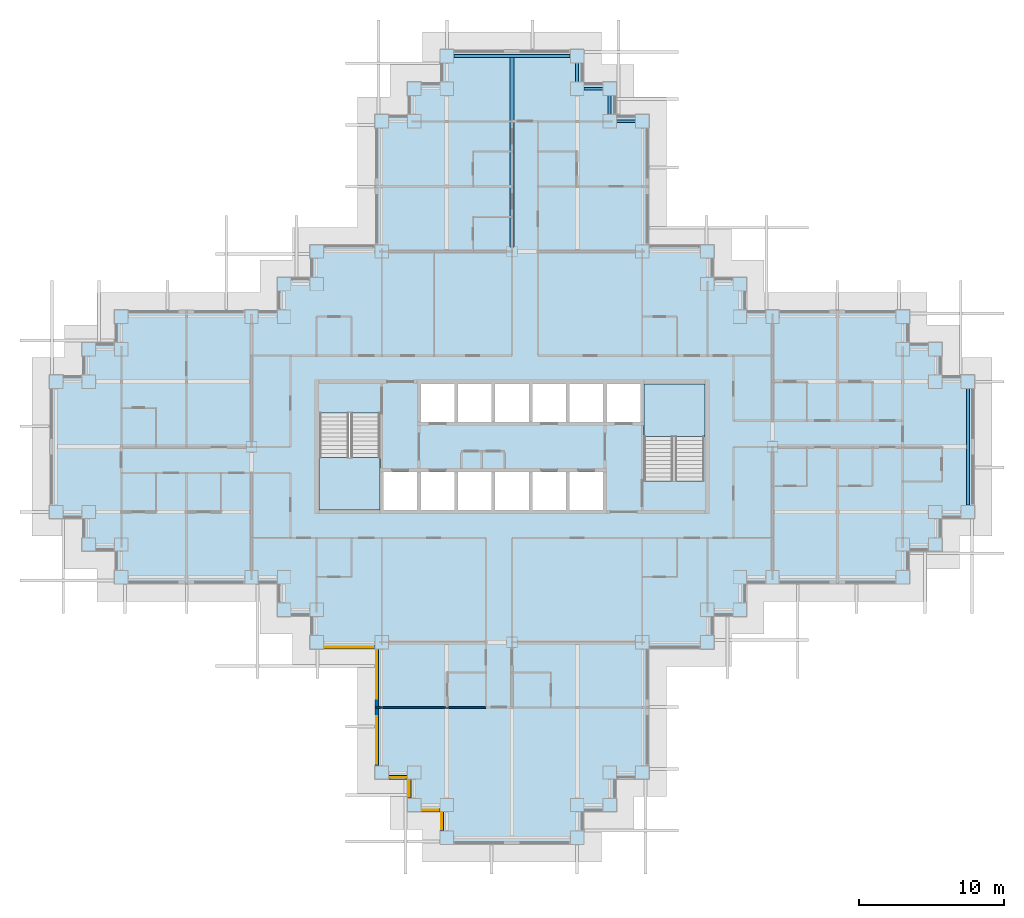
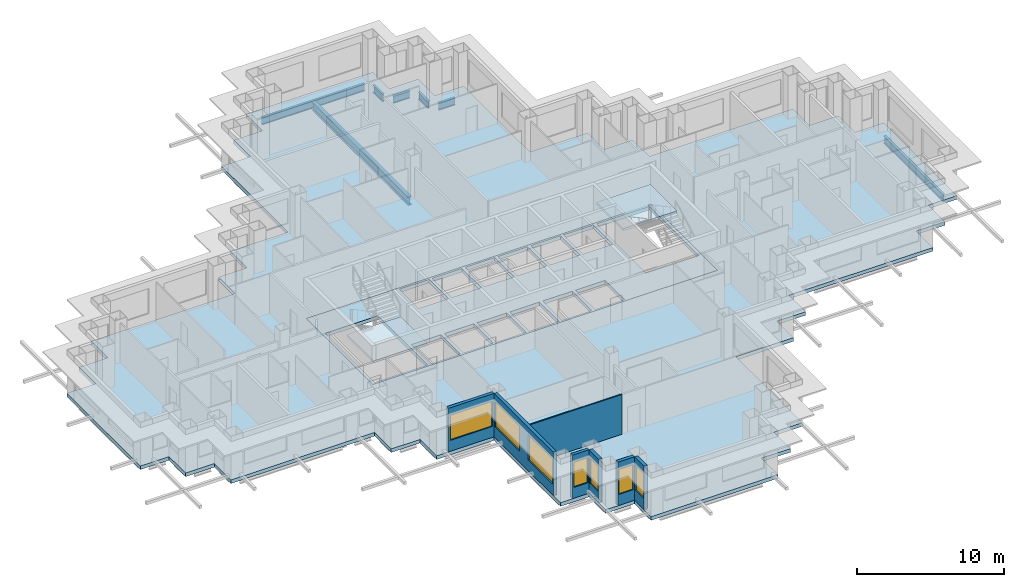
# One storey, part 2 of 15: 7 beams, 7 walls, 7 windows, 4 slabs, 7 openings, 2 elements without a shape of their own.
"""IFC4 building model written with IfcOpenShell, lengths in metres."""

from ifc_helpers import new_model, si_unit, direction, frame, frame_2d, origin, origin_2d, place, context, subcontext, project, spatial, polyline, rectangle, i_section, outline, extrude, material, layer, layer_set, material_profile, profile_set, type_object, element, fill, aggregate, save


model = new_model("IFC4")

# Units and contexts
model_context = context("Model", 3, precision=1e-05, world=origin(), true_north=direction((0.0, 1.0)))
body_context = subcontext(model_context, "Body", "Model", "MODEL_VIEW")
ifc_project = project(units=[si_unit("LENGTHUNIT", "METRE"), si_unit("AREAUNIT", "SQUARE_METRE"), si_unit("VOLUMEUNIT", "CUBIC_METRE"), si_unit("PLANEANGLEUNIT", "RADIAN"), si_unit("MASSUNIT", "GRAM", prefix="KILO")], contexts=[model_context])

# Site, building, storey
site_placement = place(None, origin())
site = spatial("IfcSite", under=ifc_project, at=site_placement, CompositionType="ELEMENT")
building_placement = place(site_placement, origin())
building = spatial("IfcBuilding", under=site, at=building_placement, Name="Caravel Reach Hotel and Residences", CompositionType="ELEMENT")
storey_placement = place(building_placement, frame((0.0, 0.0, 81.60009765625)))
storey = spatial("IfcBuildingStorey", under=building, at=storey_placement, Name="L19", CompositionType="ELEMENT", Elevation=81.60009765625)

# Beams
ifc_material_1 = material(Name="Structural steel Q355B", Category="steel")
ifc_material_profile_1 = material_profile(ifc_material_1, i_section(OverallWidth=0.300048828125, OverallDepth=0.699951171875, WebThickness=0.012939453125, FlangeThickness=0.02392578125, FilletRadius=0.01806640625, at=origin_2d()), Name="HN 700x300x13x24")
ifc_profile_set_1 = profile_set([ifc_material_profile_1], Name="Structural steel Q355B")
beam_type_1 = type_object("IfcBeamType", Name="Beam HN 700x300x13x24", PredefinedType="BEAM", material=ifc_profile_set_1)
beam_1_placement = place(storey_placement, frame((31.5, 40.824951171875, -0.650146484375), z_axis=(0.0, 1.0, 0.0), x_axis=(-1.0, 0.0, 0.0)))
element("IfcBeam", 1, at=beam_1_placement, inside=storey, type_object=beam_type_1, Name="B2 HN 700x300x13x24", PredefinedType="BEAM", context=body_context, shape_type="SweptSolid", body=[
    extrude(i_section(OverallWidth=0.300048828125, OverallDepth=0.699951171875, WebThickness=0.012939453125, FlangeThickness=0.02392578125, FilletRadius=0.01806640625, at=origin_2d()), origin(), (0.0, 0.0, 1.0), 13.074951171875),
])
ifc_material_2 = material(Name="Structural steel Q355B", Category="steel")
ifc_material_profile_2 = material_profile(ifc_material_2, i_section(OverallWidth=0.199951171875, OverallDepth=0.60009765625, WebThickness=0.010986328125, FlangeThickness=0.01708984375, FilletRadius=0.012939453125, at=origin_2d()), Name="HN 600x200x11x17")
ifc_profile_set_2 = profile_set([ifc_material_profile_2], Name="Structural steel Q355B")
beam_type_2 = type_object("IfcBeamType", Name="Spandrel beam HN 600x200x11x17", PredefinedType="SPANDREL", material=ifc_profile_set_2)
beam_2_placement = place(storey_placement, frame((63.0, 22.97509765625, -0.60009765625), z_axis=(0.0, 1.0, 0.0), x_axis=(-1.0, 0.0, 0.0)))
element("IfcBeam", 2, at=beam_2_placement, inside=storey, type_object=beam_type_2, Name="SP1 HN 600x200x11x17", PredefinedType="SPANDREL", context=body_context, shape_type="SweptSolid", body=[
    extrude(i_section(OverallWidth=0.199951171875, OverallDepth=0.60009765625, WebThickness=0.010986328125, FlangeThickness=0.01708984375, FilletRadius=0.012939453125, at=origin_2d()), origin(), (0.0, 0.0, 1.0), 8.0498046875),
])
for number, where, z_axis, x_axis, name in (
    (3, (40.02490234375, 49.5, -0.60009765625), (-1.0, 0.0, 0.0), (0.0, -1.0, 0.0), "SP1 HN 600x200x11x17"),
    (4, (38.25, 49.97509765625, -0.60009765625), (0.0, 1.0, 0.0), (-1.0, 0.0, 0.0), "SP1 HN 600x200x11x17"),
    (5, (37.77490234375, 51.75, -0.60009765625), (-1.0, 0.0, 0.0), (0.0, -1.0, 0.0), "SP1 HN 600x200x11x17"),
    (6, (36.0, 52.22509765625, -0.60009765625), (0.0, 1.0, 0.0), (-1.0, 0.0, 0.0), "SP1 HN 600x200x11x17"),
):
    element("IfcBeam", number, at=place(storey_placement, frame(where, z_axis=z_axis, x_axis=x_axis)), inside=storey, type_object=beam_type_2, Name=name, PredefinedType="SPANDREL", context=body_context, shape_type="SweptSolid", body=[
        extrude(i_section(OverallWidth=0.199951171875, OverallDepth=0.60009765625, WebThickness=0.010986328125, FlangeThickness=0.01708984375, FilletRadius=0.012939453125, at=origin_2d()), origin(), (0.0, 0.0, 1.0), 1.2998046875),
    ])
beam_3_placement = place(storey_placement, frame((35.52490234375, 54.0, -0.60009765625), z_axis=(-1.0, 0.0, 0.0), x_axis=(0.0, -1.0, 0.0)))
element("IfcBeam", 7, at=beam_3_placement, inside=storey, type_object=beam_type_2, Name="SP1 HN 600x200x11x17", PredefinedType="SPANDREL", context=body_context, shape_type="SweptSolid", body=[
    extrude(i_section(OverallWidth=0.199951171875, OverallDepth=0.60009765625, WebThickness=0.010986328125, FlangeThickness=0.01708984375, FilletRadius=0.012939453125, at=origin_2d()), origin(), (0.0, 0.0, 1.0), 8.0498046875),
])

# Slab
ifc_material_3 = material(Name="Concrete C40", Category="concrete")
ifc_layer_1 = layer(ifc_material_3, 0.300048828125)
ifc_layer_set_1 = layer_set([ifc_layer_1], Name="Core floor slab 300 mm")
slab_type_1 = type_object("IfcSlabType", Name="Core floor slab 300 mm", PredefinedType="FLOOR", material=ifc_layer_set_1)
slab_1_placement = place(storey_placement, frame((0.0, 0.0, -0.300048828125)))
element("IfcSlab", 8, at=slab_1_placement, inside=storey, type_object=slab_type_1, Name="L19 core floor", PredefinedType="FLOOR", context=body_context, shape_type="SweptSolid", body=[
    extrude(outline(polyline([(18.0, 31.5), (45.0, 31.5), (45.0, 22.5), (18.0, 22.5), (18.0, 31.5)]), holes=[polyline([(22.625, 25.27490234375), (22.625, 22.64990234375), (24.9462890625, 22.64990234375), (24.9462890625, 25.27490234375), (22.625, 25.27490234375)]), polyline([(27.517822265625, 25.27490234375), (25.1962890625, 25.27490234375), (25.1962890625, 22.64990234375), (27.517822265625, 22.64990234375), (27.517822265625, 25.27490234375)]), polyline([(30.08935546875, 25.27490234375), (27.767822265625, 25.27490234375), (27.767822265625, 22.64990234375), (30.08935546875, 22.64990234375), (30.08935546875, 25.27490234375)]), polyline([(32.66064453125, 25.27490234375), (30.33935546875, 25.27490234375), (30.33935546875, 22.64990234375), (32.66064453125, 22.64990234375), (32.66064453125, 25.27490234375)]), polyline([(18.22509765625, 22.64990234375), (22.375, 22.64990234375), (22.375, 29.35009765625), (18.22509765625, 29.35009765625), (18.22509765625, 22.64990234375)]), polyline([(27.517822265625, 31.35009765625), (25.1962890625, 31.35009765625), (25.1962890625, 28.72509765625), (27.517822265625, 28.72509765625), (27.517822265625, 31.35009765625)]), polyline([(30.08935546875, 31.35009765625), (27.767822265625, 31.35009765625), (27.767822265625, 28.72509765625), (30.08935546875, 28.72509765625), (30.08935546875, 31.35009765625)]), polyline([(32.91064453125, 25.27490234375), (32.91064453125, 22.64990234375), (35.232177734375, 22.64990234375), (35.232177734375, 25.27490234375), (32.91064453125, 25.27490234375)]), polyline([(37.8037109375, 25.27490234375), (35.482177734375, 25.27490234375), (35.482177734375, 22.64990234375), (37.8037109375, 22.64990234375), (37.8037109375, 25.27490234375)]), polyline([(44.77490234375, 31.35009765625), (40.625, 31.35009765625), (40.625, 24.64990234375), (44.77490234375, 24.64990234375), (44.77490234375, 31.35009765625)]), polyline([(32.66064453125, 31.35009765625), (30.33935546875, 31.35009765625), (30.33935546875, 28.72509765625), (32.66064453125, 28.72509765625), (32.66064453125, 31.35009765625)]), polyline([(35.232177734375, 31.35009765625), (32.91064453125, 31.35009765625), (32.91064453125, 28.72509765625), (35.232177734375, 28.72509765625), (35.232177734375, 31.35009765625)]), polyline([(37.8037109375, 31.35009765625), (35.482177734375, 31.35009765625), (35.482177734375, 28.72509765625), (37.8037109375, 28.72509765625), (37.8037109375, 31.35009765625)]), polyline([(40.375, 31.35009765625), (38.0537109375, 31.35009765625), (38.0537109375, 28.72509765625), (40.375, 28.72509765625), (40.375, 31.35009765625)])]), origin(), (0.0, 0.0, 1.0), 0.300048828125),
])

# Stair, slab
ifc_material_4 = material(Name="Concrete C40", Category="concrete")
stair_type = type_object("IfcStairType", Name="Core stair", PredefinedType="HALF_TURN_STAIR", material=ifc_material_4)
stair_1_placement = place(storey_placement, origin())
stair_1 = element("IfcStair", 9, at=stair_1_placement, inside=storey, type_object=stair_type, Name="L19 Exit stair A", PredefinedType="HALF_TURN_STAIR")
ifc_material_5 = material(Name="Concrete C40", Category="concrete")
ifc_layer_2 = layer(ifc_material_5, 0.199951171875)
ifc_layer_set_2 = layer_set([ifc_layer_2], Name="Core stair landing")
slab_type_2 = type_object("IfcSlabType", Name="Core stair landing", PredefinedType="LANDING", material=ifc_layer_set_2)
slab_2_placement = place(storey_placement, frame((0.0, 0.0, 1.599853515625)))
slab_2 = element("IfcSlab", 10, at=slab_2_placement, type_object=slab_type_2, Name="ST-A landing 1", PredefinedType="LANDING", context=body_context, shape_type="SweptSolid", body=[
    extrude(outline(polyline([(18.14990234375, 26.27001953125), (18.14990234375, 22.64990234375), (22.375, 22.64990234375), (22.375, 26.27001953125), (18.14990234375, 26.27001953125)])), origin(), (0.0, 0.0, 1.0), 0.199951171875),
])
aggregate(stair_1, [slab_2])

stair_2_placement = place(storey_placement, origin())
stair_2 = element("IfcStair", 11, at=stair_2_placement, inside=storey, type_object=stair_type, Name="L19 Exit stair B", PredefinedType="HALF_TURN_STAIR")
slab_3_placement = place(storey_placement, frame((0.0, 0.0, 1.599853515625)))
slab_3 = element("IfcSlab", 12, at=slab_3_placement, type_object=slab_type_2, Name="ST-B landing 1", PredefinedType="LANDING", context=body_context, shape_type="SweptSolid", body=[
    extrude(outline(polyline([(44.85009765625, 27.72998046875), (44.85009765625, 31.35009765625), (40.625, 31.35009765625), (40.625, 27.72998046875), (44.85009765625, 27.72998046875)])), origin(), (0.0, 0.0, 1.0), 0.199951171875),
])
aggregate(stair_2, [slab_3])

# Slab
ifc_material_6 = material(Name="Concrete C40 post-tensioned", Category="concrete")
ifc_layer_3 = layer(ifc_material_6, 0.300048828125)
ifc_layer_set_3 = layer_set([ifc_layer_3], Name="Floor slab 300")
slab_type_3 = type_object("IfcSlabType", Name="Floor slab 300", PredefinedType="FLOOR", material=ifc_layer_set_3)
slab_4_placement = place(storey_placement, frame((0.0, 0.0, -0.300048828125)))
element("IfcSlab", 13, at=slab_4_placement, inside=storey, type_object=slab_type_3, Name="S2 slab L19", PredefinedType="FLOOR", context=body_context, shape_type="SweptSolid", body=[
    extrude(outline(polyline([(17.52490234375, 13.02490234375), (17.52490234375, 15.27490234375), (15.27490234375, 15.27490234375), (15.27490234375, 17.52490234375), (4.02490234375, 17.52490234375), (4.02490234375, 19.77490234375), (1.77490234375, 19.77490234375), (1.77490234375, 22.02490234375), (-0.47509765625, 22.02490234375), (-0.47509765625, 31.97509765625), (1.77490234375, 31.97509765625), (1.77490234375, 34.22509765625), (4.02490234375, 34.22509765625), (4.02490234375, 36.47509765625), (15.27490234375, 36.47509765625), (15.27490234375, 38.72509765625), (17.52490234375, 38.72509765625), (17.52490234375, 40.97509765625), (22.02490234375, 40.97509765625), (22.02490234375, 49.97509765625), (24.27490234375, 49.97509765625), (24.27490234375, 52.22509765625), (26.52490234375, 52.22509765625), (26.52490234375, 54.47509765625), (36.47509765625, 54.47509765625), (36.47509765625, 52.22509765625), (38.72509765625, 52.22509765625), (38.72509765625, 49.97509765625), (40.97509765625, 49.97509765625), (40.97509765625, 40.97509765625), (45.47509765625, 40.97509765625), (45.47509765625, 38.72509765625), (47.72509765625, 38.72509765625), (47.72509765625, 36.47509765625), (58.97509765625, 36.47509765625), (58.97509765625, 34.22509765625), (61.22509765625, 34.22509765625), (61.22509765625, 31.97509765625), (63.47509765625, 31.97509765625), (63.47509765625, 22.02490234375), (61.22509765625, 22.02490234375), (61.22509765625, 19.77490234375), (58.97509765625, 19.77490234375), (58.97509765625, 17.52490234375), (47.72509765625, 17.52490234375), (47.72509765625, 15.27490234375), (45.47509765625, 15.27490234375), (45.47509765625, 13.02490234375), (40.97509765625, 13.02490234375), (40.97509765625, 4.02490234375), (38.72509765625, 4.02490234375), (38.72509765625, 1.77490234375), (36.47509765625, 1.77490234375), (36.47509765625, -0.47509765625), (26.52490234375, -0.47509765625), (26.52490234375, 1.77490234375), (24.27490234375, 1.77490234375), (24.27490234375, 4.02490234375), (22.02490234375, 4.02490234375), (22.02490234375, 13.02490234375), (17.52490234375, 13.02490234375)]), holes=[polyline([(45.0, 31.5), (18.0, 31.5), (18.0, 22.5), (45.0, 22.5), (45.0, 31.5)])]), origin(), (0.0, 0.0, 1.0), 0.300048828125),
])

# Wall, opening, window
ifc_material_7 = material(Name="Insulated rainscreen wall, aluminium cladding", Category="aluminium")
ifc_layer_4 = layer(ifc_material_7, 0.25)
ifc_layer_set_4 = layer_set([ifc_layer_4], Name="EW1 Tower rainscreen wall")
wall_type_1 = type_object("IfcWallType", Name="EW1 Tower rainscreen wall", PredefinedType="SOLIDWALL", material=ifc_layer_set_4)
wall_1_placement = place(storey_placement, frame((22.97509765625, 4.14990234375, 0.0), z_axis=(0.0, 0.0, 1.0), x_axis=(1.0, 0.0, 0.0)))
wall_1 = element("IfcWall", 14, at=wall_1_placement, inside=storey, type_object=wall_type_1, Name="External wall L19 S1.1", PredefinedType="SOLIDWALL", context=body_context, shape_type="SweptSolid", body=[
    extrude(rectangle(XDim=1.2998046875, YDim=0.25, at=frame_2d((0.64990234375, 0.0))), origin(), (0.0, 0.0, 1.0), 3.599853515625),
])
opening_1_placement = place(wall_1_placement, frame((0.10009765625, 0.0, 0.89990234375)))
opening_1 = element("IfcOpeningElement", 15, at=opening_1_placement, cuts=wall_1, Name="Opening WN5", PredefinedType="OPENING", context=body_context, shape_type="SweptSolid", body=[
    extrude(rectangle(XDim=1.10009765625, YDim=2.080078125, at=frame_2d((0.550048828125, 1.0400390625))), frame((0.0, 0.135009765625, 0.0), z_axis=(0.0, -1.0, 0.0), x_axis=(1.0, 0.0, 0.0)), (0.0, 0.0, 1.0), 0.27001953125),
])
ifc_material_8 = material(Name="Dark low-e glazing in black aluminium frame", Category="aluminium")
window_type_1 = type_object("IfcWindowType", Name="Hotel suite corner window 1100 x 2080", PartitioningType="SINGLE_PANEL", PredefinedType="WINDOW", material=ifc_material_8)
window_1_placement = place(opening_1_placement, origin())
window_1 = element("IfcWindow", 16, at=window_1_placement, inside=storey, type_object=window_type_1, Name="Window L19 S1.1.1", OverallHeight=2.080078125, OverallWidth=1.10009765625, PartitioningType="SINGLE_PANEL", PredefinedType="WINDOW", context=body_context, shape_type="SweptSolid", body=[
    extrude(rectangle(XDim=1.10009765625, YDim=2.080078125, at=frame_2d((0.550048828125, 1.0400390625))), frame((0.0, 0.030029296875, 0.0), z_axis=(0.0, -1.0, 0.0), x_axis=(1.0, 0.0, 0.0)), (0.0, 0.0, 1.0), 0.06005859375),
])
fill(opening_1, window_1)

wall_2_placement = place(storey_placement, frame((24.39990234375, 4.02490234375, 0.0), z_axis=(0.0, 0.0, 1.0), x_axis=(0.0, -1.0, 0.0)))
wall_2 = element("IfcWall", 17, at=wall_2_placement, inside=storey, type_object=wall_type_1, Name="External wall L19 W2.1", PredefinedType="SOLIDWALL", context=body_context, shape_type="SweptSolid", body=[
    extrude(rectangle(XDim=1.2998046875, YDim=0.25, at=frame_2d((0.64990234375, 0.0))), origin(), (0.0, 0.0, 1.0), 3.599853515625),
])
opening_2_placement = place(wall_2_placement, frame((0.10009765625, 0.0, 0.89990234375)))
opening_2 = element("IfcOpeningElement", 18, at=opening_2_placement, cuts=wall_2, Name="Opening WN5", PredefinedType="OPENING", context=body_context, shape_type="SweptSolid", body=[
    extrude(rectangle(XDim=1.10009765625, YDim=2.080078125, at=frame_2d((0.550048828125, 1.0400390625))), frame((0.0, 0.135009765625, 0.0), z_axis=(0.0, -1.0, 0.0), x_axis=(1.0, 0.0, 0.0)), (0.0, 0.0, 1.0), 0.27001953125),
])
window_2_placement = place(opening_2_placement, origin())
window_2 = element("IfcWindow", 19, at=window_2_placement, inside=storey, type_object=window_type_1, Name="Window L19 W2.1.1", OverallHeight=2.080078125, OverallWidth=1.10009765625, PartitioningType="SINGLE_PANEL", PredefinedType="WINDOW", context=body_context, shape_type="SweptSolid", body=[
    extrude(rectangle(XDim=1.10009765625, YDim=2.080078125, at=frame_2d((0.550048828125, 1.0400390625))), frame((0.0, 0.030029296875, 0.0), z_axis=(0.0, -1.0, 0.0), x_axis=(1.0, 0.0, 0.0)), (0.0, 0.0, 1.0), 0.06005859375),
])
fill(opening_2, window_2)

wall_3_placement = place(storey_placement, frame((25.22509765625, 1.89990234375, 0.0), z_axis=(0.0, 0.0, 1.0), x_axis=(1.0, 0.0, 0.0)))
wall_3 = element("IfcWall", 20, at=wall_3_placement, inside=storey, type_object=wall_type_1, Name="External wall L19 S3.1", PredefinedType="SOLIDWALL", context=body_context, shape_type="SweptSolid", body=[
    extrude(rectangle(XDim=1.2998046875, YDim=0.25, at=frame_2d((0.64990234375, 0.0))), origin(), (0.0, 0.0, 1.0), 3.599853515625),
])
opening_3_placement = place(wall_3_placement, frame((0.10009765625, 0.0, 0.89990234375)))
opening_3 = element("IfcOpeningElement", 21, at=opening_3_placement, cuts=wall_3, Name="Opening WN5", PredefinedType="OPENING", context=body_context, shape_type="SweptSolid", body=[
    extrude(rectangle(XDim=1.10009765625, YDim=2.080078125, at=frame_2d((0.550048828125, 1.0400390625))), frame((0.0, 0.135009765625, 0.0), z_axis=(0.0, -1.0, 0.0), x_axis=(1.0, 0.0, 0.0)), (0.0, 0.0, 1.0), 0.27001953125),
])
window_3_placement = place(opening_3_placement, origin())
window_3 = element("IfcWindow", 22, at=window_3_placement, inside=storey, type_object=window_type_1, Name="Window L19 S3.1.1", OverallHeight=2.080078125, OverallWidth=1.10009765625, PartitioningType="SINGLE_PANEL", PredefinedType="WINDOW", context=body_context, shape_type="SweptSolid", body=[
    extrude(rectangle(XDim=1.10009765625, YDim=2.080078125, at=frame_2d((0.550048828125, 1.0400390625))), frame((0.0, 0.030029296875, 0.0), z_axis=(0.0, -1.0, 0.0), x_axis=(1.0, 0.0, 0.0)), (0.0, 0.0, 1.0), 0.06005859375),
])
fill(opening_3, window_3)

wall_4_placement = place(storey_placement, frame((26.64990234375, 1.77490234375, 0.0), z_axis=(0.0, 0.0, 1.0), x_axis=(0.0, -1.0, 0.0)))
wall_4 = element("IfcWall", 23, at=wall_4_placement, inside=storey, type_object=wall_type_1, Name="External wall L19 W4.1", PredefinedType="SOLIDWALL", context=body_context, shape_type="SweptSolid", body=[
    extrude(rectangle(XDim=1.2998046875, YDim=0.25, at=frame_2d((0.64990234375, 0.0))), origin(), (0.0, 0.0, 1.0), 3.599853515625),
])
opening_4_placement = place(wall_4_placement, frame((0.10009765625, 0.0, 0.89990234375)))
opening_4 = element("IfcOpeningElement", 24, at=opening_4_placement, cuts=wall_4, Name="Opening WN5", PredefinedType="OPENING", context=body_context, shape_type="SweptSolid", body=[
    extrude(rectangle(XDim=1.10009765625, YDim=2.080078125, at=frame_2d((0.550048828125, 1.0400390625))), frame((0.0, 0.135009765625, 0.0), z_axis=(0.0, -1.0, 0.0), x_axis=(1.0, 0.0, 0.0)), (0.0, 0.0, 1.0), 0.27001953125),
])
window_4_placement = place(opening_4_placement, origin())
window_4 = element("IfcWindow", 25, at=window_4_placement, inside=storey, type_object=window_type_1, Name="Window L19 W4.1.1", OverallHeight=2.080078125, OverallWidth=1.10009765625, PartitioningType="SINGLE_PANEL", PredefinedType="WINDOW", context=body_context, shape_type="SweptSolid", body=[
    extrude(rectangle(XDim=1.10009765625, YDim=2.080078125, at=frame_2d((0.550048828125, 1.0400390625))), frame((0.0, 0.030029296875, 0.0), z_axis=(0.0, -1.0, 0.0), x_axis=(1.0, 0.0, 0.0)), (0.0, 0.0, 1.0), 0.06005859375),
])
fill(opening_4, window_4)

wall_5_placement = place(storey_placement, frame((18.47509765625, 13.14990234375, 0.0), z_axis=(0.0, 0.0, 1.0), x_axis=(1.0, 0.0, 0.0)))
wall_5 = element("IfcWall", 26, at=wall_5_placement, inside=storey, type_object=wall_type_1, Name="External wall L19 S59.1", PredefinedType="SOLIDWALL", context=body_context, shape_type="SweptSolid", body=[
    extrude(rectangle(XDim=3.5498046875, YDim=0.25, at=frame_2d((1.77490234375, 0.0))), origin(), (0.0, 0.0, 1.0), 3.599853515625),
])
opening_5_placement = place(wall_5_placement, frame((0.125, 0.0, 0.89990234375)))
opening_5 = element("IfcOpeningElement", 27, at=opening_5_placement, cuts=wall_5, Name="Opening WN4", PredefinedType="OPENING", context=body_context, shape_type="SweptSolid", body=[
    extrude(rectangle(XDim=3.300048828125, YDim=2.080078125, at=frame_2d((1.64990234375, 1.0400390625))), frame((0.0, 0.135009765625, 0.0), z_axis=(0.0, -1.0, 0.0), x_axis=(1.0, 0.0, 0.0)), (0.0, 0.0, 1.0), 0.27001953125),
])
ifc_material_9 = material(Name="Dark low-e glazing in black aluminium frame", Category="aluminium")
window_type_2 = type_object("IfcWindowType", Name="Hotel guest room window 3300 x 2080", PartitioningType="SINGLE_PANEL", PredefinedType="WINDOW", material=ifc_material_9)
window_5_placement = place(opening_5_placement, origin())
window_5 = element("IfcWindow", 28, at=window_5_placement, inside=storey, type_object=window_type_2, Name="Window L19 S59.1.1", OverallHeight=2.080078125, OverallWidth=3.300048828125, PartitioningType="SINGLE_PANEL", PredefinedType="WINDOW", context=body_context, shape_type="SweptSolid", body=[
    extrude(rectangle(XDim=3.300048828125, YDim=2.080078125, at=frame_2d((1.64990234375, 1.0400390625))), frame((0.0, 0.030029296875, 0.0), z_axis=(0.0, -1.0, 0.0), x_axis=(1.0, 0.0, 0.0)), (0.0, 0.0, 1.0), 0.06005859375),
])
fill(opening_5, window_5)

# Wall, openings, windows
wall_6_placement = place(storey_placement, frame((22.14990234375, 13.02490234375, 0.0), z_axis=(0.0, 0.0, 1.0), x_axis=(0.0, -1.0, 0.0)))
wall_6 = element("IfcWall", 29, at=wall_6_placement, inside=storey, type_object=wall_type_1, Name="External wall L19 W60.1", PredefinedType="SOLIDWALL", context=body_context, shape_type="SweptSolid", body=[
    extrude(rectangle(XDim=8.0498046875, YDim=0.25, at=frame_2d((4.02490234375, 0.0))), origin(), (0.0, 0.0, 1.0), 3.599853515625),
])
opening_6_placement = place(wall_6_placement, frame((0.125, 0.0, 0.89990234375)))
opening_6 = element("IfcOpeningElement", 30, at=opening_6_placement, cuts=wall_6, Name="Opening WN4", PredefinedType="OPENING", context=body_context, shape_type="SweptSolid", body=[
    extrude(rectangle(XDim=3.300048828125, YDim=2.080078125, at=frame_2d((1.64990234375, 1.0400390625))), frame((0.0, 0.135009765625, 0.0), z_axis=(0.0, -1.0, 0.0), x_axis=(1.0, 0.0, 0.0)), (0.0, 0.0, 1.0), 0.27001953125),
])
opening_7_placement = place(wall_6_placement, frame((4.625, 0.0, 0.89990234375)))
opening_7 = element("IfcOpeningElement", 31, at=opening_7_placement, cuts=wall_6, Name="Opening WN4", PredefinedType="OPENING", context=body_context, shape_type="SweptSolid", body=[
    extrude(rectangle(XDim=3.300048828125, YDim=2.080078125, at=frame_2d((1.64990234375, 1.0400390625))), frame((0.0, 0.135009765625, 0.0), z_axis=(0.0, -1.0, 0.0), x_axis=(1.0, 0.0, 0.0)), (0.0, 0.0, 1.0), 0.27001953125),
])
window_6_placement = place(opening_6_placement, origin())
window_6 = element("IfcWindow", 32, at=window_6_placement, inside=storey, type_object=window_type_2, Name="Window L19 W60.1.1", OverallHeight=2.080078125, OverallWidth=3.300048828125, PartitioningType="SINGLE_PANEL", PredefinedType="WINDOW", context=body_context, shape_type="SweptSolid", body=[
    extrude(rectangle(XDim=3.300048828125, YDim=2.080078125, at=frame_2d((1.64990234375, 1.0400390625))), frame((0.0, 0.030029296875, 0.0), z_axis=(0.0, -1.0, 0.0), x_axis=(1.0, 0.0, 0.0)), (0.0, 0.0, 1.0), 0.06005859375),
])
fill(opening_6, window_6)
window_7_placement = place(opening_7_placement, origin())
window_7 = element("IfcWindow", 33, at=window_7_placement, inside=storey, type_object=window_type_2, Name="Window L19 W60.1.2", OverallHeight=2.080078125, OverallWidth=3.300048828125, PartitioningType="SINGLE_PANEL", PredefinedType="WINDOW", context=body_context, shape_type="SweptSolid", body=[
    extrude(rectangle(XDim=3.300048828125, YDim=2.080078125, at=frame_2d((1.64990234375, 1.0400390625))), frame((0.0, 0.030029296875, 0.0), z_axis=(0.0, -1.0, 0.0), x_axis=(1.0, 0.0, 0.0)), (0.0, 0.0, 1.0), 0.06005859375),
])
fill(opening_7, window_7)

# Wall
ifc_material_10 = material(Name="Gypsum board on steel stud", Category="steel")
ifc_layer_5 = layer(ifc_material_10, 0.10009765625)
ifc_layer_set_5 = layer_set([ifc_layer_5], Name="Partition 100 mm")
wall_type_2 = type_object("IfcWallType", Name="Partition 100 mm", PredefinedType="PARTITIONING", material=ifc_layer_set_5)
wall_7_placement = place(storey_placement, frame((22.0849609375, 9.0, 0.0), z_axis=(0.0, 0.0, 1.0), x_axis=(1.0, 0.0, 0.0)))
element("IfcWall", 34, at=wall_7_placement, inside=storey, type_object=wall_type_2, Name="L19 wall w056", PredefinedType="PARTITIONING", context=body_context, shape_type="SweptSolid", body=[
    extrude(rectangle(XDim=7.614990234375, YDim=0.10009765625, at=frame_2d((3.8076171875, 0.0))), origin(), (0.0, 0.0, 1.0), 3.2998046875),
])

save(model, "model.ifc")
